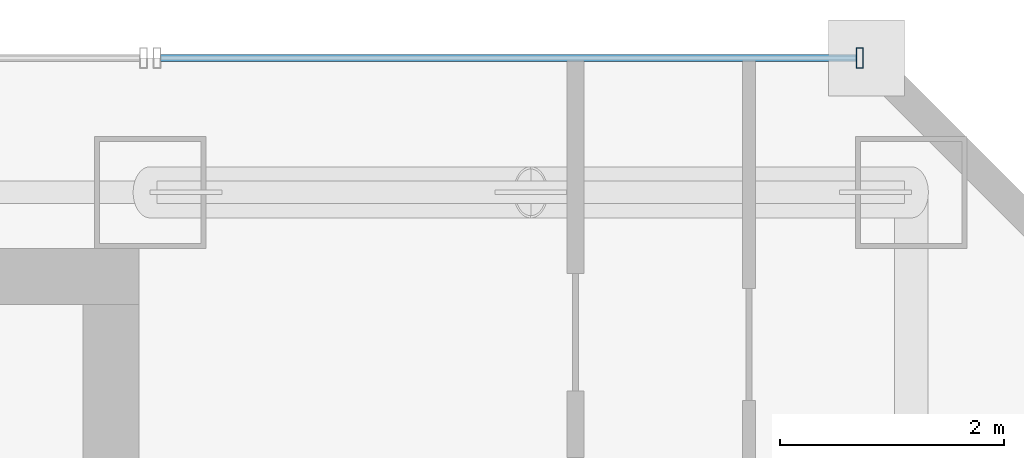
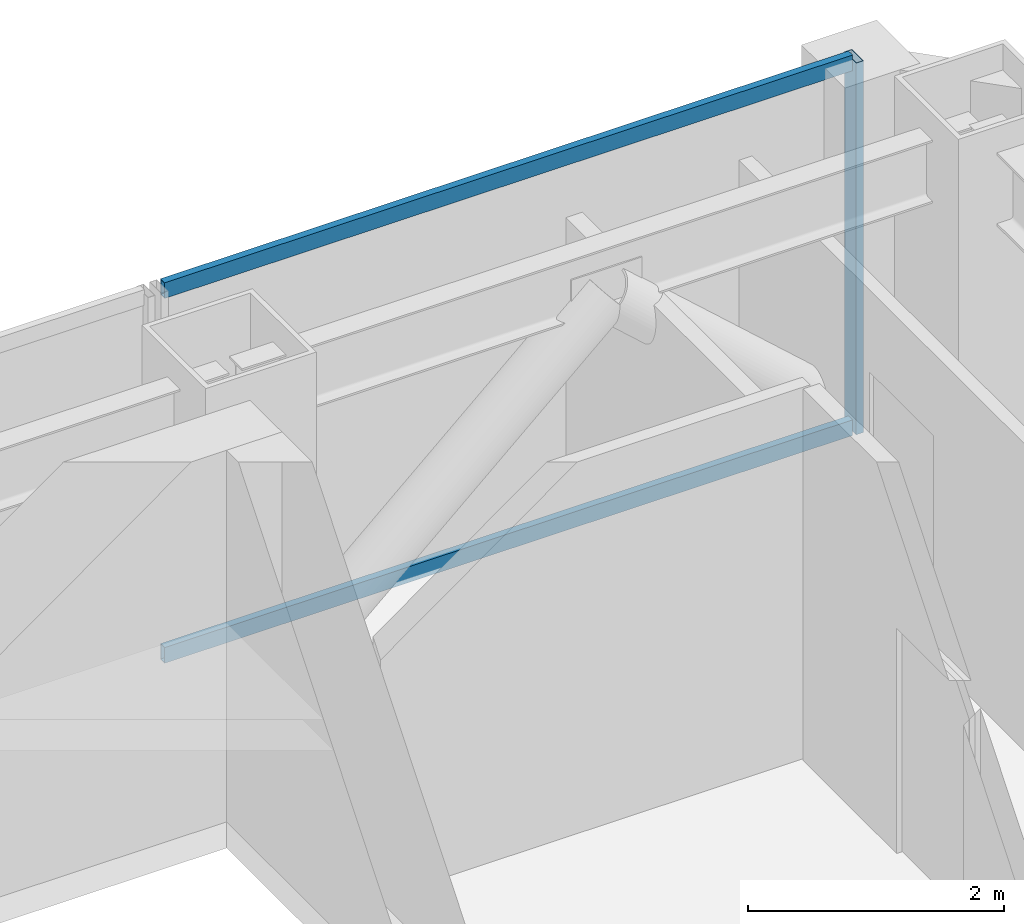
# One storey, part 28 of 36: 3 members, 1 element without a shape of its own.
"""IFC4 building model written with IfcOpenShell, lengths in metres."""

import ifcopenshell
import ifcopenshell.guid

model = None  # the IFC model being written
_history = None  # IfcOwnerHistory: only IFC2X3 demands one
_inside = {}  # id of a spatial element -> (the spatial element, [elements in it])
_under = {}  # id of a project, library or spatial element -> (it, [spatial elements below it])
_declared = {}  # id of a project -> (the project, [libraries it declares])
_typed = {}  # id of a type object -> (the type object, [elements of that type])
_made_of = {}  # id of a material, layer set ... -> (it, [elements and type objects made of it])


def new_model(schema):
    """Start an empty IFC model of exactly this schema.

    Asked for "IFC4X3", IfcOpenShell would pick the latest addendum, in which some entities
    have other attributes; the version numbers below select the first issue.
    IFC2X3 requires an IfcOwnerHistory on every rooted entity: one is made here for all.
    """
    global model, _history
    if schema == "IFC4X3":
        model = ifcopenshell.file(schema_version=(4, 3, 0, 0))
    else:
        model = ifcopenshell.file(schema=schema)
    _inside.clear()
    _under.clear()
    _declared.clear()
    _typed.clear()
    _made_of.clear()
    _history = None
    if model.schema == "IFC2X3":
        org = make("IfcOrganization", Name="unknown")
        user = make(
            "IfcPersonAndOrganization",
            ThePerson=make("IfcPerson", FamilyName="unknown"),
            TheOrganization=org,
        )
        app = make(
            "IfcApplication",
            ApplicationDeveloper=org,
            Version="unknown",
            ApplicationFullName="unknown",
            ApplicationIdentifier="unknown",
        )
        _history = make(
            "IfcOwnerHistory",
            OwningUser=user,
            OwningApplication=app,
            ChangeAction="ADDED",
            CreationDate=0,
        )
    return model


def make(cls, **values):
    """One entity of the class cls with the attributes given. An attribute that is None is left unset."""
    return model.create_entity(
        cls, **{name: value for name, value in values.items() if value is not None}
    )


def rooted(cls, **values):
    """An entity with a GlobalId (a new one), such as an element, a storey or a relation."""
    return make(cls, GlobalId=ifcopenshell.guid.new(), OwnerHistory=_history, **values)


def si_unit(unit_type, name, prefix=None):
    """IfcSIUnit, for example si_unit("LENGTHUNIT", "METRE", prefix="MILLI")."""
    return make("IfcSIUnit", UnitType=unit_type, Prefix=prefix, Name=name)


def assignment(units):
    """IfcUnitAssignment: the units of a project."""
    return None if units is None else make("IfcUnitAssignment", Units=units)


def point(xyz):
    """IfcCartesianPoint."""
    return None if xyz is None else make("IfcCartesianPoint", Coordinates=xyz)


def direction(xyz):
    """IfcDirection."""
    return None if xyz is None else make("IfcDirection", DirectionRatios=xyz)


def frame(location, z_axis=None, x_axis=None):
    """IfcAxis2Placement3D, a coordinate frame: its origin and axes. An axis left out is left unset."""
    return make(
        "IfcAxis2Placement3D",
        Location=point(location),
        Axis=direction(z_axis),
        RefDirection=direction(x_axis),
    )


def frame_2d(location, x_axis=None):
    """IfcAxis2Placement2D, a coordinate frame in the plane: its origin and x axis."""
    return make(
        "IfcAxis2Placement2D", Location=point(location), RefDirection=direction(x_axis)
    )


def origin():
    """The frame at (0, 0, 0) with its axes left unset."""
    return frame((0.0, 0.0, 0.0))


def origin_2d():
    """The frame at (0, 0) in the plane with its x axis left unset."""
    return frame_2d((0.0, 0.0))


def place(relative_to, where):
    """IfcLocalPlacement: puts the frame where relative to a parent placement (None: the world)."""
    return make(
        "IfcLocalPlacement", PlacementRelTo=relative_to, RelativePlacement=where
    )


def context(
    kind, dimensions, precision=None, world=None, true_north=None, identifier=None
):
    """IfcGeometricRepresentationContext, for example the 3D "Model" context."""
    return make(
        "IfcGeometricRepresentationContext",
        ContextIdentifier=identifier,
        ContextType=kind,
        CoordinateSpaceDimension=dimensions,
        Precision=precision,
        WorldCoordinateSystem=world,
        TrueNorth=true_north,
    )


def subcontext(parent, identifier, kind, view, scale=None):
    """IfcGeometricRepresentationSubContext, for example "Body" below "Model"."""
    return make(
        "IfcGeometricRepresentationSubContext",
        ContextIdentifier=identifier,
        ContextType=kind,
        ParentContext=parent,
        TargetScale=scale,
        TargetView=view,
    )


def project(units=None, contexts=None):
    """IfcProject with its units and contexts."""
    return rooted(
        "IfcProject",
        Name="project",
        RepresentationContexts=contexts,
        UnitsInContext=assignment(units),
    )


def spatial(cls, under=None, at=None, **own):
    """A site, building, storey or space (cls), placed at a placement, below another one or the project."""
    s = rooted(cls, ObjectPlacement=at, **own)
    if under is not None:
        _under.setdefault(under.id(), (under, []))[1].append(s)
    return s


def profile(cls, at=None, kind="AREA", **sizes):
    """A parametric profile (cls). Its sizes go by their IFC names, for example OverallWidth=200.0."""
    return make(cls, ProfileType=kind, Position=at, **sizes)


def hollow_rectangle(**sizes):
    """IfcRectangleHollowProfileDef."""
    return profile("IfcRectangleHollowProfileDef", **sizes)


def extrude(swept, where, along, depth):
    """IfcExtrudedAreaSolid: the profile swept, set in the frame where, extruded along a direction by depth."""
    return make(
        "IfcExtrudedAreaSolid",
        SweptArea=swept,
        Position=where,
        ExtrudedDirection=direction(along),
        Depth=depth,
    )


def shape(context_of_items, identifier, shape_type, items):
    """IfcShapeRepresentation: the items that make up one representation, for example the "Body"."""
    return make(
        "IfcShapeRepresentation",
        ContextOfItems=context_of_items,
        RepresentationIdentifier=identifier,
        RepresentationType=shape_type,
        Items=items,
    )


def material(Name=None, Category=None):
    """IfcMaterial."""
    return make("IfcMaterial", Name=Name, Category=Category)


def material_profile(
    of_material, cross_section, Name=None, Category=None, Priority=None
):
    """IfcMaterialProfile: a cross section and its material."""
    return make(
        "IfcMaterialProfile",
        Name=Name,
        Material=of_material,
        Profile=cross_section,
        Priority=Priority,
        Category=Category,
    )


def profile_set(profiles, Name=None, composite=None):
    """IfcMaterialProfileSet."""
    return make(
        "IfcMaterialProfileSet",
        Name=Name,
        MaterialProfiles=profiles,
        CompositeProfile=composite,
    )


def made_of(thing, what):
    """Note that an element or type object is made of a material, layer set ...; save() writes the relation."""
    if what is not None:
        _made_of.setdefault(what.id(), (what, []))[1].append(thing)
    return thing


def type_object(cls, material=None, **own):
    """A type object (cls), such as IfcWallType, which elements share."""
    return made_of(rooted(cls, **own), material)


def element(
    cls,
    number,
    at=None,
    inside=None,
    cuts=None,
    type_object=None,
    material=None,
    context=None,
    identifier="Body",
    shape_type=None,
    held_by="IfcProductDefinitionShape",
    body=None,
    shapes=None,
    **own,
):
    """One element of the class cls, such as IfcWall. Its Tag is "e" and its number.

    at: its placement. inside: the storey or other place that contains it. cuts: it is an
    opening in that element (IfcRelVoidsElement). A single representation is given by context,
    identifier, shape_type and body (its items); several are given by shapes. held_by: the class
    of the entity that holds the representations. save() writes the other relations.
    """
    e = rooted(cls, Tag="e%d" % number, ObjectPlacement=at, **own)
    if body is not None:
        shapes = [shape(context, identifier, shape_type, body)]
    if shapes is not None:
        e.Representation = make(held_by, Representations=shapes)
    if inside is not None:
        _inside.setdefault(inside.id(), (inside, []))[1].append(e)
    if cuts is not None:
        rooted(
            "IfcRelVoidsElement", RelatingBuildingElement=cuts, RelatedOpeningElement=e
        )
    if type_object is not None:
        _typed.setdefault(type_object.id(), (type_object, []))[1].append(e)
    return made_of(e, material)


def aggregate(whole, parts):
    """IfcRelAggregates: a whole, such as a stair, and the parts it consists of."""
    return rooted("IfcRelAggregates", RelatingObject=whole, RelatedObjects=parts)


def save(model, path):
    """Write the relations noted so far, then the file.

    IfcRelAggregates (storeys below a building ...), IfcRelContainedInSpatialStructure (elements
    in a storey), IfcRelDefinesByType, IfcRelAssociatesMaterial and IfcRelDeclares: one each for
    every whole, place, type object, material and project.
    """
    for whole, parts in _under.values():
        aggregate(whole, parts)
    for where, things in _inside.values():
        rooted(
            "IfcRelContainedInSpatialStructure",
            RelatedElements=things,
            RelatingStructure=where,
        )
    for kind, things in _typed.values():
        rooted("IfcRelDefinesByType", RelatedObjects=things, RelatingType=kind)
    for what, things in _made_of.values():
        rooted("IfcRelAssociatesMaterial", RelatedObjects=things, RelatingMaterial=what)
    for by, libraries in _declared.values():
        rooted("IfcRelDeclares", RelatingContext=by, RelatedDefinitions=libraries)
    model.write(path)


model = new_model("IFC4")

# Units and contexts
model_context = context("Model", 3, precision=1e-05, world=origin(), true_north=direction((0.0, 1.0)))
body_context = subcontext(model_context, "Body", "Model", "MODEL_VIEW")
ifc_project = project(units=[si_unit("LENGTHUNIT", "METRE"), si_unit("AREAUNIT", "SQUARE_METRE"), si_unit("VOLUMEUNIT", "CUBIC_METRE"), si_unit("PLANEANGLEUNIT", "RADIAN"), si_unit("MASSUNIT", "GRAM", prefix="KILO")], contexts=[model_context])

# Site, building, storey
site_placement = place(None, origin())
site = spatial("IfcSite", under=ifc_project, at=site_placement, CompositionType="ELEMENT")
building_placement = place(site_placement, origin())
building = spatial("IfcBuilding", under=site, at=building_placement, Name="Saevonmaru Cultural Tower", CompositionType="ELEMENT")
storey_placement = place(building_placement, frame((0.0, 0.0, 152.39990234375)))
storey = spatial("IfcBuildingStorey", under=building, at=storey_placement, Name="L33", CompositionType="ELEMENT", Elevation=152.39990234375)

# Curtain wall, members
ifc_material = material(Name="Satin Bronze Anodised Aluminium", Category="aluminium")
curtain_wall_type = type_object("IfcCurtainWallType", Name="CW-TYP-A", PredefinedType="NOTDEFINED", material=ifc_material)
curtain_wall_placement = place(storey_placement, origin())
curtain_wall = element("IfcCurtainWall", 1, at=curtain_wall_placement, inside=storey, type_object=curtain_wall_type, Name="L33 East Braced Bay Spandrel Curtain Wall E10A", PredefinedType="NOTDEFINED")
ifc_material_profile_1 = material_profile(ifc_material, hollow_rectangle(XDim=0.06494140625, YDim=0.179931640625, WallThickness=0.00390625, at=origin_2d()), Name="ALU-MULL-180x65x4")
ifc_profile_set_1 = profile_set([ifc_material_profile_1], Name="Satin Bronze Anodised Aluminium")
member_type_1 = type_object("IfcMemberType", Name="ML-CW-180x65", PredefinedType="MULLION", material=ifc_profile_set_1)
member_1_placement = place(storey_placement, frame((52.739990234375, 56.0, 0.0), z_axis=(0.0, 0.0, 1.0), x_axis=(-1.0, 0.0, 0.0)))
member_1 = element("IfcMember", 2, at=member_1_placement, type_object=member_type_1, Name="CW-TW-L33-E10A mullion 1", PredefinedType="MULLION", context=body_context, shape_type="SweptSolid", body=[
    extrude(hollow_rectangle(XDim=0.06494140625, YDim=0.179931640625, WallThickness=0.00390625, at=origin_2d()), origin(), (0.0, 0.0, 1.0), 3.550048828125),
])
ifc_material_profile_2 = material_profile(ifc_material, hollow_rectangle(XDim=0.06494140625, YDim=0.14990234375, WallThickness=0.00390625, at=origin_2d()), Name="ALU-TRAN-150x65x4")
ifc_profile_set_2 = profile_set([ifc_material_profile_2], Name="Satin Bronze Anodised Aluminium")
member_type_2 = type_object("IfcMemberType", Name="TR-CW-150x65", PredefinedType="USERDEFINED", material=ifc_profile_set_2)
member_2_placement = place(storey_placement, frame((52.70751953125, 56.0, 0.03271484375), z_axis=(-1.0, 0.0, 0.0), x_axis=(0.0, -1.0, 0.0)))
member_2 = element("IfcMember", 3, at=member_2_placement, type_object=member_type_2, Name="CW-TW-L33-E10A transom 1.1", ObjectType="TRANSOM", PredefinedType="USERDEFINED", context=body_context, shape_type="SweptSolid", body=[
    extrude(hollow_rectangle(XDim=0.06494140625, YDim=0.14990234375, WallThickness=0.00390625, at=origin_2d()), origin(), (0.0, 0.0, 1.0), 6.215087890625),
])
member_3_placement = place(storey_placement, frame((52.70751953125, 56.0, 3.517578125), z_axis=(-1.0, 0.0, 0.0), x_axis=(0.0, -1.0, 0.0)))
member_3 = element("IfcMember", 4, at=member_3_placement, type_object=member_type_2, Name="CW-TW-L33-E10A transom 1.2", ObjectType="TRANSOM", PredefinedType="USERDEFINED", context=body_context, shape_type="SweptSolid", body=[
    extrude(hollow_rectangle(XDim=0.06494140625, YDim=0.14990234375, WallThickness=0.00390625, at=origin_2d()), origin(), (0.0, 0.0, 1.0), 6.215087890625),
])
aggregate(curtain_wall, [member_1, member_2, member_3])

save(model, "model.ifc")
